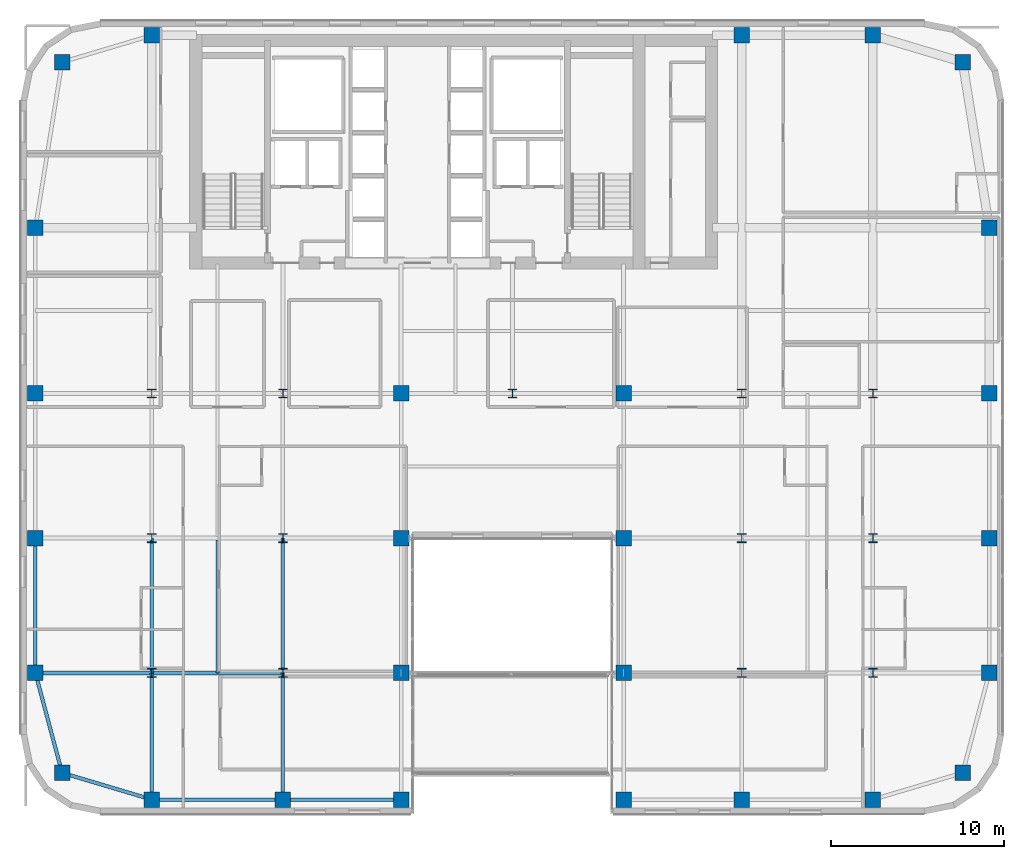
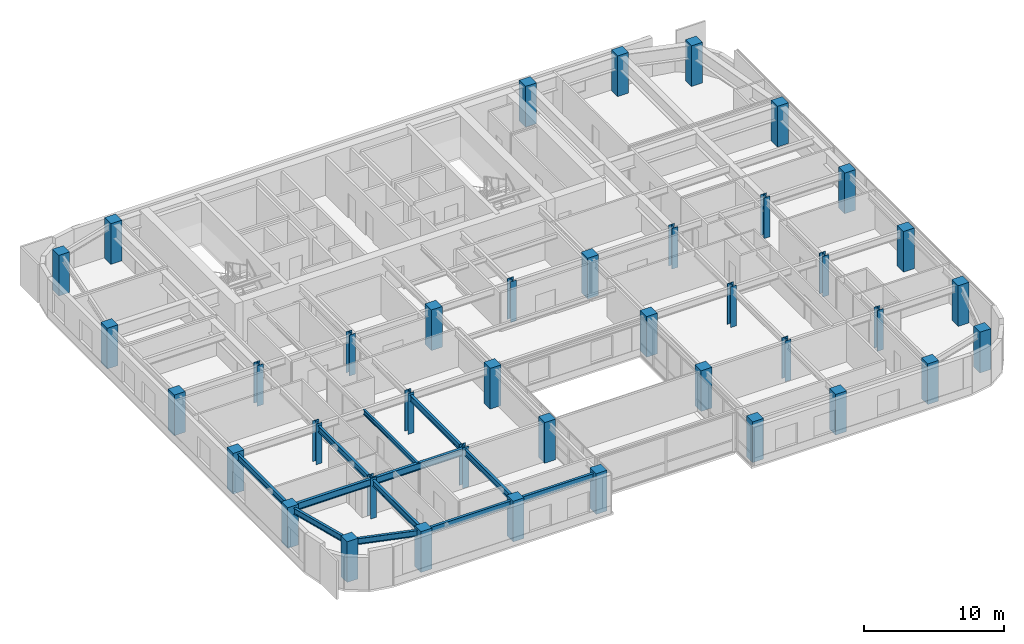
# One storey, part 1 of 31: 40 columns, 12 beams.
"""IFC4 building model written with IfcOpenShell, lengths in metres."""

from ifc_helpers import new_model, si_unit, direction, frame, origin, origin_2d, place, context, subcontext, project, spatial, rectangle, i_section, extrude, source, transform, mapped, material, material_profile, profile_set, type_object, type_shapes, element, save


model = new_model("IFC4")

# Units and contexts
model_context = context("Model", 3, precision=1e-05, world=origin(), true_north=direction((0.0, 1.0)))
body_context = subcontext(model_context, "Body", "Model", "MODEL_VIEW")
ifc_project = project(units=[si_unit("LENGTHUNIT", "METRE"), si_unit("AREAUNIT", "SQUARE_METRE"), si_unit("VOLUMEUNIT", "CUBIC_METRE"), si_unit("PLANEANGLEUNIT", "RADIAN"), si_unit("MASSUNIT", "GRAM", prefix="KILO")], contexts=[model_context])

# Site, building, storey
site_placement = place(None, origin())
site = spatial("IfcSite", under=ifc_project, at=site_placement, CompositionType="ELEMENT")
building_placement = place(site_placement, origin())
building = spatial("IfcBuilding", under=site, at=building_placement, Name="Tolvann Quenvar Hotel", CompositionType="ELEMENT")
storey_placement = place(building_placement, frame((0.0, 0.0, 125.75)))
storey = spatial("IfcBuildingStorey", under=building, at=storey_placement, Name="L32", CompositionType="ELEMENT", Elevation=125.75)

# Columns
ifc_material_1 = material(Name="Concrete S65 (65 MPa)", Category="concrete")
ifc_material_profile_1 = material_profile(ifc_material_1, rectangle(XDim=0.89990234375, YDim=0.89990234375, at=origin_2d()), Name="RC900x900")
ifc_profile_set_1 = profile_set([ifc_material_profile_1], Name="Concrete S65 (65 MPa)")
column_type_1 = type_object("IfcColumnType", Name="COL_RC900", PredefinedType="COLUMN", material=ifc_profile_set_1)
shared_shape_1 = source(origin(), body_context, "Body", "SweptSolid", [
    extrude(rectangle(XDim=0.89990234375, YDim=0.89990234375, at=origin_2d()), origin(), (0.0, 0.0, 1.0), 3.550048828125),
])
type_shapes(column_type_1, [shared_shape_1])
for number, where, z_axis, x_axis, name in (
    (1, (2.39990234375, 2.39990234375, 0.0), (0.0, 0.0, 1.0), (1.0, 0.0, 0.0), "Column B2 (L32)"),
    (2, (0.85009765625, 8.199951171875, 0.0), (0.0, 0.0, 1.0), (1.0, 0.0, 0.0), "Column B3 (L32)"),
    (3, (0.85009765625, 16.0, 0.0), (0.0, 0.0, 1.0), (1.0, 0.0, 0.0), "Column B4 (L32)"),
    (4, (0.85009765625, 24.39990234375, 0.0), (0.0, 0.0, 1.0), (1.0, 0.0, 0.0), "Column B5 (L32)"),
    (5, (7.60009765625, 0.85009765625, 0.0), (0.0, 0.0, 1.0), (1.0, 0.0, 0.0), "Column C2 (L32)"),
    (6, (15.199951171875, 0.85009765625, 0.0), (0.0, 0.0, 1.0), (1.0, 0.0, 0.0), "Column D2 (L32)"),
    (7, (22.050048828125, 0.85009765625, 0.0), (0.0, 0.0, 1.0), (1.0, 0.0, 0.0), "Column E2 (L32)"),
    (8, (22.050048828125, 8.199951171875, 0.0), (0.0, 0.0, 1.0), (1.0, 0.0, 0.0), "Column E3 (L32)"),
    (9, (22.050048828125, 16.0, 0.0), (0.0, 0.0, 1.0), (1.0, 0.0, 0.0), "Column E4 (L32)"),
    (10, (22.050048828125, 24.39990234375, 0.0), (0.0, 0.0, 1.0), (1.0, 0.0, 0.0), "Column E5 (L32)"),
    (11, (34.949951171875, 0.85009765625, 0.0), (0.0, 0.0, 1.0), (1.0, 0.0, 0.0), "Column F2 (L32)"),
    (12, (34.949951171875, 8.199951171875, 0.0), (0.0, 0.0, 1.0), (1.0, 0.0, 0.0), "Column F3 (L32)"),
    (13, (34.949951171875, 16.0, 0.0), (0.0, 0.0, 1.0), (1.0, 0.0, 0.0), "Column F4 (L32)"),
    (14, (34.949951171875, 24.39990234375, 0.0), (0.0, 0.0, 1.0), (1.0, 0.0, 0.0), "Column F5 (L32)"),
    (15, (41.800048828125, 0.85009765625, 0.0), (0.0, 0.0, 1.0), (1.0, 0.0, 0.0), "Column H2 (L32)"),
    (16, (49.39990234375, 0.85009765625, 0.0), (0.0, 0.0, 1.0), (1.0, 0.0, 0.0), "Column I2 (L32)"),
    (17, (54.60009765625, 2.39990234375, 0.0), (0.0, 0.0, 1.0), (1.0, 0.0, 0.0), "Column J2 (L32)"),
    (18, (56.14990234375, 8.199951171875, 0.0), (0.0, 0.0, 1.0), (1.0, 0.0, 0.0), "Column J3 (L32)"),
    (19, (56.14990234375, 16.0, 0.0), (0.0, 0.0, 1.0), (1.0, 0.0, 0.0), "Column J4 (L32)"),
    (20, (56.14990234375, 24.39990234375, 0.0), (0.0, 0.0, 1.0), (1.0, 0.0, 0.0), "Column J5 (L32)"),
    (21, (2.39990234375, 43.60009765625, 0.0), (0.0, 0.0, 1.0), (1.0, 0.0, 0.0), "Column BN (L32)"),
    (22, (7.60009765625, 45.14990234375, 0.0), (0.0, 0.0, 1.0), (1.0, 0.0, 0.0), "Column CN (L32)"),
    (23, (0.85009765625, 34.0, 0.0), (0.0, 0.0, 1.0), (1.0, 0.0, 0.0), "Column BD6 (L32)"),
    (24, (41.800048828125, 45.14990234375, 0.0), (0.0, 0.0, 1.0), (1.0, 0.0, 0.0), "Column HN (L32)"),
    (25, (49.39990234375, 45.14990234375, 0.0), (0.0, 0.0, 1.0), (1.0, 0.0, 0.0), "Column IN (L32)"),
    (26, (54.60009765625, 43.60009765625, 0.0), (0.0, 0.0, 1.0), (1.0, 0.0, 0.0), "Column JN (L32)"),
    (27, (56.14990234375, 34.0, 0.0), (0.0, 0.0, 1.0), (1.0, 0.0, 0.0), "Column JD6 (L32)"),
):
    element("IfcColumn", number, at=place(storey_placement, frame(where, z_axis=z_axis, x_axis=x_axis)), inside=storey, type_object=column_type_1, Name=name, PredefinedType="COLUMN", context=body_context, shape_type="MappedRepresentation", body=[
        mapped(shared_shape_1, transform((0.0, 0.0, 0.0), x_axis=(1.0, 0.0, 0.0), y_axis=(0.0, 1.0, 0.0), z_axis=(0.0, 0.0, 1.0), scale=1.0)),
    ])
ifc_material_2 = material(Name="Steel Grade 350", Category="steel")
ifc_material_profile_2 = material_profile(ifc_material_2, i_section(OverallWidth=0.5, OverallDepth=0.5, WebThickness=0.02197265625, FlangeThickness=0.033935546875, at=origin_2d()), Name="500WC340")
ifc_profile_set_2 = profile_set([ifc_material_profile_2], Name="Steel Grade 350")
column_type_2 = type_object("IfcColumnType", Name="COL_500WC340", PredefinedType="COLUMN", material=ifc_profile_set_2)
shared_shape_2 = source(origin(), body_context, "Body", "SweptSolid", [
    extrude(i_section(OverallWidth=0.5, OverallDepth=0.5, WebThickness=0.02197265625, FlangeThickness=0.033935546875, at=origin_2d()), origin(), (0.0, 0.0, 1.0), 3.550048828125),
])
type_shapes(column_type_2, [shared_shape_2])
for number, where, z_axis, x_axis, name in (
    (28, (7.60009765625, 8.199951171875, 0.0), (0.0, 0.0, 1.0), (1.0, 0.0, 0.0), "Column C3 (L32)"),
    (29, (7.60009765625, 16.0, 0.0), (0.0, 0.0, 1.0), (1.0, 0.0, 0.0), "Column C4 (L32)"),
    (30, (7.60009765625, 24.39990234375, 0.0), (0.0, 0.0, 1.0), (1.0, 0.0, 0.0), "Column C5 (L32)"),
    (31, (15.199951171875, 8.199951171875, 0.0), (0.0, 0.0, 1.0), (1.0, 0.0, 0.0), "Column D3 (L32)"),
    (32, (15.199951171875, 16.0, 0.0), (0.0, 0.0, 1.0), (1.0, 0.0, 0.0), "Column D4 (L32)"),
    (33, (15.199951171875, 24.39990234375, 0.0), (0.0, 0.0, 1.0), (1.0, 0.0, 0.0), "Column D5 (L32)"),
    (34, (41.800048828125, 8.199951171875, 0.0), (0.0, 0.0, 1.0), (1.0, 0.0, 0.0), "Column H3 (L32)"),
    (35, (41.800048828125, 16.0, 0.0), (0.0, 0.0, 1.0), (1.0, 0.0, 0.0), "Column H4 (L32)"),
    (36, (41.800048828125, 24.39990234375, 0.0), (0.0, 0.0, 1.0), (1.0, 0.0, 0.0), "Column H5 (L32)"),
    (37, (49.39990234375, 8.199951171875, 0.0), (0.0, 0.0, 1.0), (1.0, 0.0, 0.0), "Column I3 (L32)"),
    (38, (49.39990234375, 16.0, 0.0), (0.0, 0.0, 1.0), (1.0, 0.0, 0.0), "Column I4 (L32)"),
    (39, (49.39990234375, 24.39990234375, 0.0), (0.0, 0.0, 1.0), (1.0, 0.0, 0.0), "Column I5 (L32)"),
    (40, (28.5, 24.39990234375, 0.0), (0.0, 0.0, 1.0), (1.0, 0.0, 0.0), "Column M5 (L32)"),
):
    element("IfcColumn", number, at=place(storey_placement, frame(where, z_axis=z_axis, x_axis=x_axis)), inside=storey, type_object=column_type_2, Name=name, PredefinedType="COLUMN", context=body_context, shape_type="MappedRepresentation", body=[
        mapped(shared_shape_2, transform((0.0, 0.0, 0.0), x_axis=(1.0, 0.0, 0.0), y_axis=(0.0, 1.0, 0.0), z_axis=(0.0, 0.0, 1.0), scale=1.0)),
    ])

# Beams
ifc_material_profile_3 = material_profile(ifc_material_2, i_section(OverallWidth=0.208984375, OverallDepth=0.528076171875, WebThickness=0.009521484375, FlangeThickness=0.01318359375, FilletRadius=0.013916015625, at=origin_2d()), Name="530UB82")
ifc_profile_set_3 = profile_set([ifc_material_profile_3], Name="Steel Grade 350")
beam_type_1 = type_object("IfcBeamType", Name="BM_SPAND_530UB82", PredefinedType="SPANDREL", material=ifc_profile_set_3)
shared_shape_3 = source(origin(), body_context, "Body", "SweptSolid", [
    extrude(i_section(OverallWidth=0.208984375, OverallDepth=0.528076171875, WebThickness=0.009521484375, FlangeThickness=0.01318359375, FilletRadius=0.013916015625, at=origin_2d()), origin(), (0.0, 0.0, 1.0), 5.42626953125),
])
beam_1_placement = place(storey_placement, frame((2.39990234375, 2.39990234375, 3.10595703125), z_axis=(0.958344815522, -0.285613750654, 0.0), x_axis=(0.285613750654, 0.958344815522, 0.0)))
element("IfcBeam", 41, at=beam_1_placement, inside=storey, type_object=beam_type_1, Name="BM-L32-EW-2-B2-C2", PredefinedType="SPANDREL", context=body_context, shape_type="MappedRepresentation", body=[
    mapped(shared_shape_3, transform((0.0, 0.0, 0.0), x_axis=(1.0, 0.0, 0.0), y_axis=(0.0, 1.0, 0.0), z_axis=(0.0, 0.0, 1.0), scale=1.0)),
])
shared_shape_4 = source(origin(), body_context, "Body", "SweptSolid", [
    extrude(i_section(OverallWidth=0.208984375, OverallDepth=0.528076171875, WebThickness=0.009521484375, FlangeThickness=0.01318359375, FilletRadius=0.013916015625, at=origin_2d()), origin(), (0.0, 0.0, 1.0), 7.599853515625),
])
beam_2_placement = place(storey_placement, frame((7.60009765625, 0.85009765625, 3.10595703125), z_axis=(1.0, 0.0, 0.0), x_axis=(0.0, 1.0, 0.0)))
element("IfcBeam", 42, at=beam_2_placement, inside=storey, type_object=beam_type_1, Name="BM-L32-EW-2-C2-D2", PredefinedType="SPANDREL", context=body_context, shape_type="MappedRepresentation", body=[
    mapped(shared_shape_4, transform((0.0, 0.0, 0.0), x_axis=(1.0, 0.0, 0.0), y_axis=(0.0, 1.0, 0.0), z_axis=(0.0, 0.0, 1.0), scale=1.0)),
])
shared_shape_5 = source(origin(), body_context, "Body", "SweptSolid", [
    extrude(i_section(OverallWidth=0.208984375, OverallDepth=0.528076171875, WebThickness=0.009521484375, FlangeThickness=0.01318359375, FilletRadius=0.013916015625, at=origin_2d()), origin(), (0.0, 0.0, 1.0), 6.85009765625),
])
beam_3_placement = place(storey_placement, frame((15.199951171875, 0.85009765625, 3.10595703125), z_axis=(1.0, 0.0, 0.0), x_axis=(0.0, 1.0, 0.0)))
element("IfcBeam", 43, at=beam_3_placement, inside=storey, type_object=beam_type_1, Name="BM-L32-EW-2-D2-E2", PredefinedType="SPANDREL", context=body_context, shape_type="MappedRepresentation", body=[
    mapped(shared_shape_5, transform((0.0, 0.0, 0.0), x_axis=(1.0, 0.0, 0.0), y_axis=(0.0, 1.0, 0.0), z_axis=(0.0, 0.0, 1.0), scale=1.0)),
])
ifc_material_profile_4 = material_profile(ifc_material_2, i_section(OverallWidth=0.22900390625, OverallDepth=0.612060546875, WebThickness=0.011962890625, FlangeThickness=0.01953125, FilletRadius=0.013916015625, at=origin_2d()), Name="610UB125")
ifc_profile_set_4 = profile_set([ifc_material_profile_4], Name="Steel Grade 350")
beam_type_2 = type_object("IfcBeamType", Name="BM_GIRD_610UB125", PredefinedType="BEAM", material=ifc_profile_set_4)
shared_shape_6 = source(origin(), body_context, "Body", "SweptSolid", [
    extrude(i_section(OverallWidth=0.22900390625, OverallDepth=0.612060546875, WebThickness=0.011962890625, FlangeThickness=0.01953125, FilletRadius=0.013916015625, at=origin_2d()), origin(), (0.0, 0.0, 1.0), 6.75),
])
beam_4_placement = place(storey_placement, frame((0.85009765625, 8.199951171875, 3.06396484375), z_axis=(1.0, 0.0, 0.0), x_axis=(0.0, 1.0, 0.0)))
element("IfcBeam", 44, at=beam_4_placement, inside=storey, type_object=beam_type_2, Name="BM-L32-EW-3-B3-C3", PredefinedType="BEAM", context=body_context, shape_type="MappedRepresentation", body=[
    mapped(shared_shape_6, transform((0.0, 0.0, 0.0), x_axis=(1.0, 0.0, 0.0), y_axis=(0.0, 1.0, 0.0), z_axis=(0.0, 0.0, 1.0), scale=1.0)),
])
shared_shape_7 = source(origin(), body_context, "Body", "SweptSolid", [
    extrude(i_section(OverallWidth=0.22900390625, OverallDepth=0.612060546875, WebThickness=0.011962890625, FlangeThickness=0.01953125, FilletRadius=0.013916015625, at=origin_2d()), origin(), (0.0, 0.0, 1.0), 7.599853515625),
])
type_shapes(beam_type_2, [shared_shape_6, shared_shape_7])
beam_5_placement = place(storey_placement, frame((7.60009765625, 8.199951171875, 3.06396484375), z_axis=(1.0, 0.0, 0.0), x_axis=(0.0, 1.0, 0.0)))
element("IfcBeam", 45, at=beam_5_placement, inside=storey, type_object=beam_type_2, Name="BM-L32-EW-3-C3-D3", PredefinedType="BEAM", context=body_context, shape_type="MappedRepresentation", body=[
    mapped(shared_shape_7, transform((0.0, 0.0, 0.0), x_axis=(1.0, 0.0, 0.0), y_axis=(0.0, 1.0, 0.0), z_axis=(0.0, 0.0, 1.0), scale=1.0)),
])
shared_shape_8 = source(origin(), body_context, "Body", "SweptSolid", [
    extrude(i_section(OverallWidth=0.208984375, OverallDepth=0.528076171875, WebThickness=0.009521484375, FlangeThickness=0.01318359375, FilletRadius=0.013916015625, at=origin_2d()), origin(), (0.0, 0.0, 1.0), 6.00341796875),
])
beam_6_placement = place(storey_placement, frame((2.39990234375, 2.39990234375, 3.10595703125), z_axis=(-0.258148586649, 0.966105225745, 0.0), x_axis=(-0.966105225745, -0.258148586649, 0.0)))
element("IfcBeam", 46, at=beam_6_placement, inside=storey, type_object=beam_type_1, Name="BM-L32-NS-B2-B3", PredefinedType="SPANDREL", context=body_context, shape_type="MappedRepresentation", body=[
    mapped(shared_shape_8, transform((0.0, 0.0, 0.0), x_axis=(1.0, 0.0, 0.0), y_axis=(0.0, 1.0, 0.0), z_axis=(0.0, 0.0, 1.0), scale=1.0)),
])
shared_shape_9 = source(origin(), body_context, "Body", "SweptSolid", [
    extrude(i_section(OverallWidth=0.208984375, OverallDepth=0.528076171875, WebThickness=0.009521484375, FlangeThickness=0.01318359375, FilletRadius=0.013916015625, at=origin_2d()), origin(), (0.0, 0.0, 1.0), 7.800048828125),
])
type_shapes(beam_type_1, [shared_shape_3, shared_shape_4, shared_shape_5, shared_shape_8, shared_shape_9])
beam_7_placement = place(storey_placement, frame((0.85009765625, 8.199951171875, 3.10595703125), z_axis=(0.0, 1.0, 0.0), x_axis=(-1.0, 0.0, 0.0)))
element("IfcBeam", 47, at=beam_7_placement, inside=storey, type_object=beam_type_1, Name="BM-L32-NS-B3-B4", PredefinedType="SPANDREL", context=body_context, shape_type="MappedRepresentation", body=[
    mapped(shared_shape_9, transform((0.0, 0.0, 0.0), x_axis=(1.0, 0.0, 0.0), y_axis=(0.0, 1.0, 0.0), z_axis=(0.0, 0.0, 1.0), scale=1.0)),
])
ifc_material_profile_5 = material_profile(ifc_material_2, i_section(OverallWidth=0.208984375, OverallDepth=0.532958984375, WebThickness=0.01025390625, FlangeThickness=0.015625, FilletRadius=0.013916015625, at=origin_2d()), Name="530UB92")
ifc_profile_set_5 = profile_set([ifc_material_profile_5], Name="Steel Grade 350")
beam_type_3 = type_object("IfcBeamType", Name="BM_GIRD_530UB92", PredefinedType="BEAM", material=ifc_profile_set_5)
shared_shape_10 = source(origin(), body_context, "Body", "SweptSolid", [
    extrude(i_section(OverallWidth=0.208984375, OverallDepth=0.532958984375, WebThickness=0.01025390625, FlangeThickness=0.015625, FilletRadius=0.013916015625, at=origin_2d()), origin(), (0.0, 0.0, 1.0), 7.349853515625),
])
for number, where, z_axis, x_axis, name in (
    (48, (7.60009765625, 0.85009765625, 3.103515625), (0.0, 1.0, 0.0), (-1.0, 0.0, 0.0), "BM-L32-NS-C2-C3"),
    (49, (15.199951171875, 0.85009765625, 3.103515625), (0.0, 1.0, 0.0), (-1.0, 0.0, 0.0), "BM-L32-NS-D2-D3"),
):
    element("IfcBeam", number, at=place(storey_placement, frame(where, z_axis=z_axis, x_axis=x_axis)), inside=storey, type_object=beam_type_3, Name=name, PredefinedType="BEAM", context=body_context, shape_type="MappedRepresentation", body=[
        mapped(shared_shape_10, transform((0.0, 0.0, 0.0), x_axis=(1.0, 0.0, 0.0), y_axis=(0.0, 1.0, 0.0), z_axis=(0.0, 0.0, 1.0), scale=1.0)),
    ])
shared_shape_11 = source(origin(), body_context, "Body", "SweptSolid", [
    extrude(i_section(OverallWidth=0.208984375, OverallDepth=0.532958984375, WebThickness=0.01025390625, FlangeThickness=0.015625, FilletRadius=0.013916015625, at=origin_2d()), origin(), (0.0, 0.0, 1.0), 7.800048828125),
])
type_shapes(beam_type_3, [shared_shape_10, shared_shape_11])
for number, where, z_axis, x_axis, name in (
    (50, (7.60009765625, 8.199951171875, 3.103515625), (0.0, 1.0, 0.0), (-1.0, 0.0, 0.0), "BM-L32-NS-C3-C4"),
    (51, (15.199951171875, 8.199951171875, 3.103515625), (0.0, 1.0, 0.0), (-1.0, 0.0, 0.0), "BM-L32-NS-D3-D4"),
):
    element("IfcBeam", number, at=place(storey_placement, frame(where, z_axis=z_axis, x_axis=x_axis)), inside=storey, type_object=beam_type_3, Name=name, PredefinedType="BEAM", context=body_context, shape_type="MappedRepresentation", body=[
        mapped(shared_shape_11, transform((0.0, 0.0, 0.0), x_axis=(1.0, 0.0, 0.0), y_axis=(0.0, 1.0, 0.0), z_axis=(0.0, 0.0, 1.0), scale=1.0)),
    ])
ifc_material_profile_6 = material_profile(ifc_material_2, i_section(OverallWidth=0.177978515625, OverallDepth=0.406005859375, WebThickness=0.0078125, FlangeThickness=0.0126953125, FilletRadius=0.011474609375, at=origin_2d()), Name="410UB60")
ifc_profile_set_6 = profile_set([ifc_material_profile_6], Name="Steel Grade 350")
beam_type_4 = type_object("IfcBeamType", Name="BM_JOIST_410UB60", PredefinedType="JOIST", material=ifc_profile_set_6)
shared_shape_12 = source(origin(), body_context, "Body", "SweptSolid", [
    extrude(i_section(OverallWidth=0.177978515625, OverallDepth=0.406005859375, WebThickness=0.0078125, FlangeThickness=0.0126953125, FilletRadius=0.011474609375, at=origin_2d()), origin(), (0.0, 0.0, 1.0), 7.691650390625),
])
type_shapes(beam_type_4, [shared_shape_12])
beam_8_placement = place(storey_placement, frame((11.39990234375, 8.199951171875, 3.1669921875), z_axis=(0.0, 1.0, 0.0), x_axis=(-1.0, 0.0, 0.0)))
element("IfcBeam", 52, at=beam_8_placement, inside=storey, type_object=beam_type_4, Name="BJ-L32-114-82", PredefinedType="JOIST", context=body_context, shape_type="MappedRepresentation", body=[
    mapped(shared_shape_12, transform((0.0, 0.0, 0.0), x_axis=(1.0, 0.0, 0.0), y_axis=(0.0, 1.0, 0.0), z_axis=(0.0, 0.0, 1.0), scale=1.0)),
])

save(model, "model.ifc")
